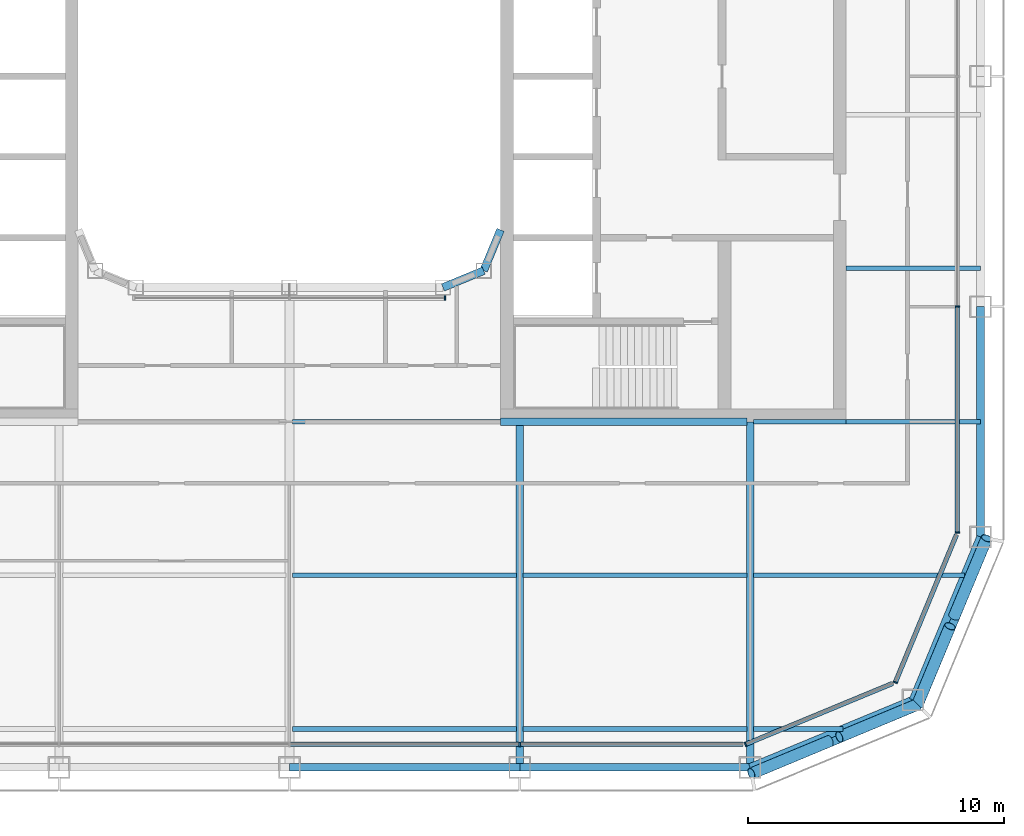
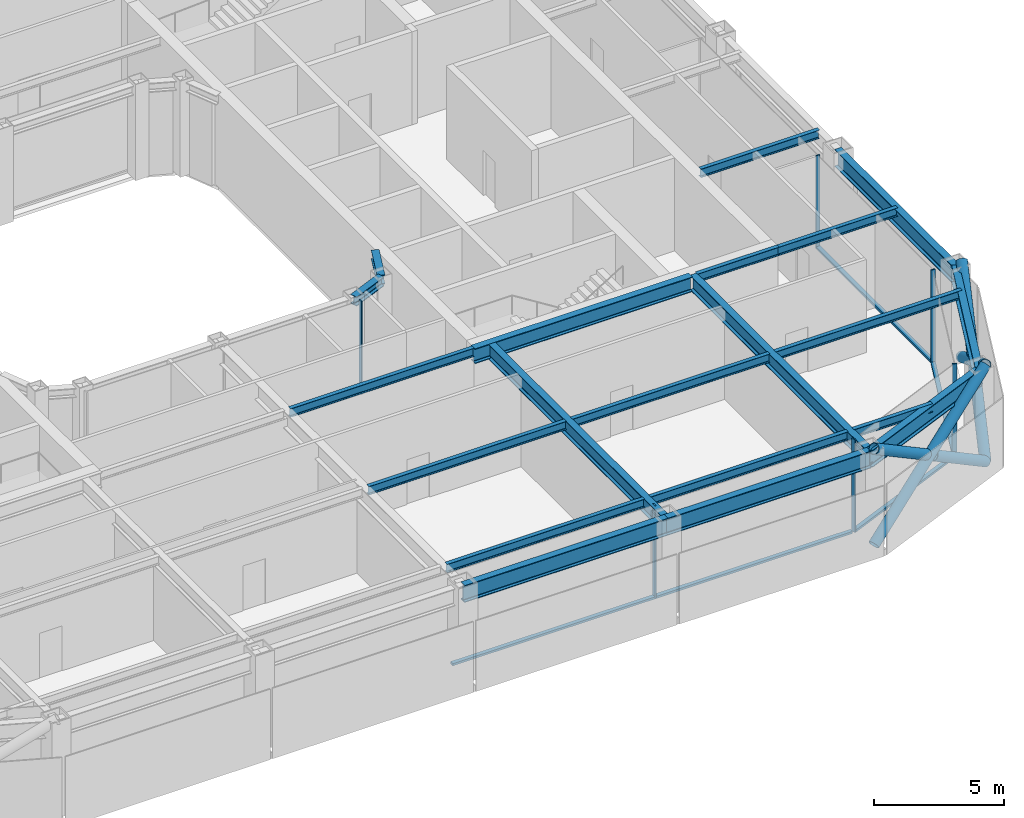
# One storey, part 4 of 19: 20 beams, 17 members, 5 elements without a shape of their own.
"""IFC4 building model written with IfcOpenShell, lengths in metres."""

from ifc_helpers import new_model, si_unit, direction, frame, origin, origin_2d, place, context, subcontext, project, spatial, rectangle, hollow_circle, i_section, extrude, material, layer, layer_set, material_profile, profile_set, type_object, element, aggregate, save


model = new_model("IFC4")

# Units and contexts
model_context = context("Model", 3, precision=1e-05, world=origin(), true_north=direction((0.0, 1.0)))
body_context = subcontext(model_context, "Body", "Model", "MODEL_VIEW")
ifc_project = project(units=[si_unit("LENGTHUNIT", "METRE"), si_unit("AREAUNIT", "SQUARE_METRE"), si_unit("VOLUMEUNIT", "CUBIC_METRE"), si_unit("PLANEANGLEUNIT", "RADIAN"), si_unit("MASSUNIT", "GRAM", prefix="KILO")], contexts=[model_context])

# Site, building, storey
site_placement = place(None, origin())
site = spatial("IfcSite", under=ifc_project, at=site_placement, CompositionType="ELEMENT")
building_placement = place(site_placement, origin())
building = spatial("IfcBuilding", under=site, at=building_placement, Name="Siwar Civic Tower", CompositionType="ELEMENT")
storey_placement = place(building_placement, frame((0.0, 0.0, 210.699951171875)))
storey = spatial("IfcBuildingStorey", under=building, at=storey_placement, Name="L45", CompositionType="ELEMENT", Elevation=210.699951171875)

# Curtain wall, member
ifc_material_1 = material(Name="Aluminium and glass", Category="aluminium")
ifc_layer_1 = layer(ifc_material_1, 0.179931640625)
ifc_layer_set_1 = layer_set([ifc_layer_1], Name="Aluminium and glass")
curtain_wall_type_1 = type_object("IfcCurtainWallType", Name="ENV-CW-C", PredefinedType="NOTDEFINED", material=ifc_layer_set_1)
curtain_wall_1_placement = place(storey_placement, origin())
curtain_wall_1 = element("IfcCurtainWall", 1, at=curtain_wall_1_placement, inside=storey, type_object=curtain_wall_type_1, Name="Curtain wall C S", PredefinedType="NOTDEFINED")
ifc_material_2 = material(Name="Aluminium 6063-T6", Category="aluminium")
ifc_material_profile_1 = material_profile(ifc_material_2, rectangle(XDim=0.179931640625, YDim=0.06005859375, at=origin_2d()), Name="AL 180x60")
ifc_profile_set_1 = profile_set([ifc_material_profile_1], Name="Aluminium 6063-T6")
member_type_1 = type_object("IfcMemberType", Name="ENV-MULLION-C", PredefinedType="MULLION", material=ifc_profile_set_1)
member_1_placement = place(storey_placement, frame((9.0, -26.10009765625, 0.0), z_axis=(0.0, 0.0, 1.0), x_axis=(0.0, 1.0, 0.0)))
member_1 = element("IfcMember", 2, at=member_1_placement, type_object=member_type_1, Name="Mullion C S 4", PredefinedType="MULLION", context=body_context, shape_type="SweptSolid", body=[
    extrude(rectangle(XDim=0.179931640625, YDim=0.06005859375, at=origin_2d()), origin(), (0.0, 0.0, 1.0), 4.35009765625),
])

ifc_material_3 = material(Name="Aluminium clad insulated panel", Category="aluminium")
ifc_layer_2 = layer(ifc_material_3, 0.179931640625)
ifc_layer_set_2 = layer_set([ifc_layer_2], Name="Aluminium clad insulated panel")
curtain_wall_type_2 = type_object("IfcCurtainWallType", Name="ENV-CW-CX", PredefinedType="NOTDEFINED", material=ifc_layer_set_2)
curtain_wall_2_placement = place(storey_placement, origin())
curtain_wall_2 = element("IfcCurtainWall", 3, at=curtain_wall_2_placement, inside=storey, type_object=curtain_wall_type_2, Name="Curtain wall C SE1", PredefinedType="NOTDEFINED")
member_2_placement = place(storey_placement, frame((17.821044921875, -26.10009765625, 0.0), z_axis=(0.0, 0.0, 1.0), x_axis=(-0.382683432365, 0.923879532511, 0.0)))
member_2 = element("IfcMember", 4, at=member_2_placement, type_object=member_type_1, Name="Mullion C SE1 1", PredefinedType="MULLION", context=body_context, shape_type="SweptSolid", body=[
    extrude(rectangle(XDim=0.179931640625, YDim=0.06005859375, at=origin_2d()), origin(), (0.0, 0.0, 1.0), 4.35009765625),
])

curtain_wall_3_placement = place(storey_placement, origin())
curtain_wall_3 = element("IfcCurtainWall", 5, at=curtain_wall_3_placement, inside=storey, type_object=curtain_wall_type_2, Name="Curtain wall C SE2", PredefinedType="NOTDEFINED")
member_3_placement = place(storey_placement, frame((23.675048828125, -23.675048828125, 0.0), z_axis=(0.0, 0.0, 1.0), x_axis=(-0.923879532511, 0.382683432365, 0.0)))
member_3 = element("IfcMember", 6, at=member_3_placement, type_object=member_type_1, Name="Mullion C SE2 1", PredefinedType="MULLION", context=body_context, shape_type="SweptSolid", body=[
    extrude(rectangle(XDim=0.179931640625, YDim=0.06005859375, at=origin_2d()), origin(), (0.0, 0.0, 1.0), 4.35009765625),
])

# Curtain wall, members
curtain_wall_4_placement = place(storey_placement, origin())
curtain_wall_4 = element("IfcCurtainWall", 7, at=curtain_wall_4_placement, inside=storey, type_object=curtain_wall_type_1, Name="Curtain wall C E", PredefinedType="NOTDEFINED")
member_4_placement = place(storey_placement, frame((26.10009765625, -17.821044921875, 0.0), z_axis=(0.0, 0.0, 1.0), x_axis=(-1.0, 0.0, 0.0)))
member_4 = element("IfcMember", 8, at=member_4_placement, type_object=member_type_1, Name="Mullion C E 1", PredefinedType="MULLION", context=body_context, shape_type="SweptSolid", body=[
    extrude(rectangle(XDim=0.179931640625, YDim=0.06005859375, at=origin_2d()), origin(), (0.0, 0.0, 1.0), 4.35009765625),
])
member_5_placement = place(storey_placement, frame((26.10009765625, -9.0, 0.0), z_axis=(0.0, 0.0, 1.0), x_axis=(-1.0, 0.0, 0.0)))
member_5 = element("IfcMember", 9, at=member_5_placement, type_object=member_type_1, Name="Mullion C E 2", PredefinedType="MULLION", context=body_context, shape_type="SweptSolid", body=[
    extrude(rectangle(XDim=0.179931640625, YDim=0.06005859375, at=origin_2d()), origin(), (0.0, 0.0, 1.0), 4.35009765625),
])

# Curtain wall, member
ifc_material_4 = material(Name="Aluminium and glass", Category="aluminium")
ifc_layer_3 = layer(ifc_material_4, 0.179931640625)
ifc_layer_set_3 = layer_set([ifc_layer_3], Name="Aluminium and glass")
curtain_wall_type_3 = type_object("IfcCurtainWallType", Name="ENV-CW-W", PredefinedType="NOTDEFINED", material=ifc_layer_set_3)
curtain_wall_5_placement = place(storey_placement, origin())
curtain_wall_5 = element("IfcCurtainWall", 10, at=curtain_wall_5_placement, inside=storey, type_object=curtain_wall_type_3, Name="Curtain wall W WS", PredefinedType="NOTDEFINED")
ifc_material_5 = material(Name="Aluminium 6063-T6", Category="aluminium")
ifc_material_profile_2 = material_profile(ifc_material_5, rectangle(XDim=0.179931640625, YDim=0.06005859375, at=origin_2d()), Name="AL 180x60")
ifc_profile_set_2 = profile_set([ifc_material_profile_2], Name="Aluminium 6063-T6")
member_type_2 = type_object("IfcMemberType", Name="ENV-MULLION-W", PredefinedType="MULLION", material=ifc_profile_set_2)
member_6_placement = place(storey_placement, frame((6.08154296875, -8.659912109375, 0.0), z_axis=(0.0, 0.0, 1.0), x_axis=(0.0, 1.0, 0.0)))
member_6 = element("IfcMember", 11, at=member_6_placement, type_object=member_type_2, Name="Mullion W WS 3", PredefinedType="MULLION", context=body_context, shape_type="SweptSolid", body=[
    extrude(rectangle(XDim=0.179931640625, YDim=0.06005859375, at=origin_2d()), origin(), (0.0, 0.0, 1.0), 4.35009765625),
])
aggregate(curtain_wall_5, [member_6])

# Member
ifc_material_6 = material(Name="Aluminium 6063-T6", Category="aluminium")
ifc_material_profile_3 = material_profile(ifc_material_6, rectangle(XDim=0.179931640625, YDim=0.10009765625, at=origin_2d()), Name="AL 180x100")
ifc_profile_set_3 = profile_set([ifc_material_profile_3], Name="Aluminium 6063-T6")
member_type_3 = type_object("IfcMemberType", Name="ENV-TRANSOM-C", PredefinedType="USERDEFINED", material=ifc_profile_set_3)
member_7_placement = place(storey_placement, frame((0.030029296875, -26.10009765625, 0.050048828125), z_axis=(1.0, 0.0, 0.0), x_axis=(0.0, 1.0, 0.0)))
member_7 = element("IfcMember", 12, at=member_7_placement, type_object=member_type_3, Name="Transom C S 3", ObjectType="TRANSOM", PredefinedType="USERDEFINED", context=body_context, shape_type="SweptSolid", body=[
    extrude(rectangle(XDim=0.179931640625, YDim=0.10009765625, at=origin_2d()), origin(), (0.0, 0.0, 1.0), 8.93994140625),
])

member_8_placement = place(storey_placement, frame((9.030029296875, -26.10009765625, 0.050048828125), z_axis=(1.0, 0.0, 0.0), x_axis=(0.0, 1.0, 0.0)))
member_8 = element("IfcMember", 13, at=member_8_placement, type_object=member_type_3, Name="Transom C S 4", ObjectType="TRANSOM", PredefinedType="USERDEFINED", context=body_context, shape_type="SweptSolid", body=[
    extrude(rectangle(XDim=0.179931640625, YDim=0.10009765625, at=origin_2d()), origin(), (0.0, 0.0, 1.0), 8.68603515625),
])

aggregate(curtain_wall_1, [member_1, member_7, member_8])

member_9_placement = place(storey_placement, frame((17.8486328125, -26.088623046875, 0.050048828125), z_axis=(0.923882011223, 0.38267744817, 0.0), x_axis=(-0.38267744817, 0.923882011223, 0.0)))
member_9 = element("IfcMember", 14, at=member_9_placement, type_object=member_type_3, Name="Transom C SE1 1", ObjectType="TRANSOM", PredefinedType="USERDEFINED", context=body_context, shape_type="SweptSolid", body=[
    extrude(rectangle(XDim=0.179931640625, YDim=0.10009765625, at=origin_2d()), origin(), (0.0, 0.0, 1.0), 6.201904296875),
])

aggregate(curtain_wall_2, [member_2, member_9])

member_10_placement = place(storey_placement, frame((23.6865234375, -23.6474609375, 0.050048828125), z_axis=(0.382691366456, 0.923876246063, 0.0), x_axis=(-0.923876246063, 0.382691366456, 0.0)))
member_10 = element("IfcMember", 15, at=member_10_placement, type_object=member_type_3, Name="Transom C SE2 1", ObjectType="TRANSOM", PredefinedType="USERDEFINED", context=body_context, shape_type="SweptSolid", body=[
    extrude(rectangle(XDim=0.179931640625, YDim=0.10009765625, at=origin_2d()), origin(), (0.0, 0.0, 1.0), 6.20166015625),
])

aggregate(curtain_wall_3, [member_3, member_10])

member_11_placement = place(storey_placement, frame((26.10009765625, -17.791015625, 0.050048828125), z_axis=(0.0, 1.0, 0.0), x_axis=(-1.0, 0.0, 0.0)))
member_11 = element("IfcMember", 16, at=member_11_placement, type_object=member_type_3, Name="Transom C E 1", ObjectType="TRANSOM", PredefinedType="USERDEFINED", context=body_context, shape_type="SweptSolid", body=[
    extrude(rectangle(XDim=0.179931640625, YDim=0.10009765625, at=origin_2d()), origin(), (0.0, 0.0, 1.0), 8.760986328125),
])

aggregate(curtain_wall_4, [member_4, member_5, member_11])

# Members
ifc_material_7 = material(Name="Steel S355", Category="steel")
ifc_material_profile_4 = material_profile(ifc_material_7, hollow_circle(Radius=0.228515625, WallThickness=0.02001953125, at=origin_2d()), Name="CHS457x20")
ifc_profile_set_4 = profile_set([ifc_material_profile_4], Name="Steel S355")
member_type_4 = type_object("IfcMemberType", Name="STR-BR-CHS457x20", PredefinedType="BRACE", material=ifc_profile_set_4)
member_12_placement = place(storey_placement, frame((27.2451171875, -18.048828125, 0.0), z_axis=(-0.323905527954, -0.777554562952, 0.538975055633), x_axis=(0.923108759191, -0.384538969033, 0.0)))
element("IfcMember", 17, at=member_12_placement, inside=storey, type_object=member_type_4, Name="L45/brc/CSE1-5-0-1", PredefinedType="BRACE", context=body_context, shape_type="SweptSolid", body=[
    extrude(hollow_circle(Radius=0.228515625, WallThickness=0.02001953125, at=origin_2d()), origin(), (0.0, 0.0, 1.0), 8.34912109375),
])
for number, where, z_axis, x_axis, name in (
    (18, (24.540771484375, -24.540771484375, 0.0), (0.323884455881, 0.777546448489, 0.538999424564), (-0.92311621485, 0.38452107079, 0.0), "L45/brc/CSE1-5-0-2"),
    (19, (25.972900390625, -21.10302734375, 2.383056640625), (0.323895306243, 0.777572496853, 0.538955325357), (-0.92311621485, 0.38452107079, 0.0), "L45/brc/CSE1-5-0-3"),
):
    element("IfcMember", number, at=place(storey_placement, frame(where, z_axis=z_axis, x_axis=x_axis)), inside=storey, type_object=member_type_4, Name=name, PredefinedType="BRACE", context=body_context, shape_type="SweptSolid", body=[
        extrude(hollow_circle(Radius=0.228515625, WallThickness=0.02001953125, at=origin_2d()), origin(), (0.0, 0.0, 1.0), 3.927978515625),
    ])
member_13_placement = place(storey_placement, frame((18.048828125, -27.2451171875, 0.0), z_axis=(0.777554562952, 0.323905527954, 0.538975055633), x_axis=(-0.384538969033, 0.923108759191, 0.0)))
element("IfcMember", 20, at=member_13_placement, inside=storey, type_object=member_type_4, Name="L45/brc/CSE1-5-0-0", PredefinedType="BRACE", context=body_context, shape_type="SweptSolid", body=[
    extrude(hollow_circle(Radius=0.228515625, WallThickness=0.02001953125, at=origin_2d()), origin(), (0.0, 0.0, 1.0), 8.34912109375),
])
for number, where, z_axis, x_axis, name in (
    (21, (24.540771484375, -24.540771484375, 0.0), (-0.777546448489, -0.323884455881, 0.538999424564), (0.38452107079, -0.92311621485, 0.0), "L45/brc/CSE1-5-0-4"),
    (22, (21.10302734375, -25.972900390625, 2.383056640625), (-0.777572496853, -0.323895306243, 0.538955325357), (0.38452107079, -0.92311621485, 0.0), "L45/brc/CSE1-5-0-5"),
):
    element("IfcMember", number, at=place(storey_placement, frame(where, z_axis=z_axis, x_axis=x_axis)), inside=storey, type_object=member_type_4, Name=name, PredefinedType="BRACE", context=body_context, shape_type="SweptSolid", body=[
        extrude(hollow_circle(Radius=0.228515625, WallThickness=0.02001953125, at=origin_2d()), origin(), (0.0, 0.0, 1.0), 3.927978515625),
    ])

# Beams
ifc_material_8 = material(Name="Steel S355", Category="steel")
ifc_material_profile_5 = material_profile(ifc_material_8, i_section(OverallWidth=0.179931640625, OverallDepth=0.39990234375, WebThickness=0.008544921875, FlangeThickness=0.013427734375, FilletRadius=0.02099609375, at=origin_2d()), Name="IPE400")
ifc_profile_set_5 = profile_set([ifc_material_profile_5], Name="Steel S355")
beam_type_1 = type_object("IfcBeamType", Name="STR-FB-IPE400", PredefinedType="JOIST", material=ifc_profile_set_5)
for number, where, z_axis, x_axis, name in (
    (23, (0.1298828125, -25.5, 4.150146484375), (1.0, 0.0, 0.0), (0.0, 1.0, 0.0), "L45/bm/F004"),
    (24, (9.1298828125, -25.5, 4.150146484375), (1.0, 0.0, 0.0), (0.0, 1.0, 0.0), "L45/bm/F005"),
):
    element("IfcBeam", number, at=place(storey_placement, frame(where, z_axis=z_axis, x_axis=x_axis)), inside=storey, type_object=beam_type_1, Name=name, PredefinedType="JOIST", context=body_context, shape_type="SweptSolid", body=[
        extrude(i_section(OverallWidth=0.179931640625, OverallDepth=0.39990234375, WebThickness=0.008544921875, FlangeThickness=0.013427734375, FilletRadius=0.02099609375, at=origin_2d()), origin(), (0.0, 0.0, 1.0), 8.740234375),
    ])
beam_1_placement = place(storey_placement, frame((18.1298828125, -25.5, 4.150146484375), z_axis=(1.0, 0.0, 0.0), x_axis=(0.0, 1.0, 0.0)))
element("IfcBeam", 25, at=beam_1_placement, inside=storey, type_object=beam_type_1, Name="L45/bm/F006", PredefinedType="JOIST", context=body_context, shape_type="SweptSolid", body=[
    extrude(i_section(OverallWidth=0.179931640625, OverallDepth=0.39990234375, WebThickness=0.008544921875, FlangeThickness=0.013427734375, FilletRadius=0.02099609375, at=origin_2d()), origin(), (0.0, 0.0, 1.0), 3.491455078125),
])
for number, where, z_axis, x_axis, name in (
    (26, (0.1298828125, -19.5, 4.150146484375), (1.0, 0.0, 0.0), (0.0, 1.0, 0.0), "L45/bm/F010"),
    (27, (9.1298828125, -19.5, 4.150146484375), (1.0, 0.0, 0.0), (0.0, 1.0, 0.0), "L45/bm/F011"),
):
    element("IfcBeam", number, at=place(storey_placement, frame(where, z_axis=z_axis, x_axis=x_axis)), inside=storey, type_object=beam_type_1, Name=name, PredefinedType="JOIST", context=body_context, shape_type="SweptSolid", body=[
        extrude(i_section(OverallWidth=0.179931640625, OverallDepth=0.39990234375, WebThickness=0.008544921875, FlangeThickness=0.013427734375, FilletRadius=0.02099609375, at=origin_2d()), origin(), (0.0, 0.0, 1.0), 8.740234375),
    ])
beam_2_placement = place(storey_placement, frame((18.1298828125, -19.5, 4.150146484375), z_axis=(1.0, 0.0, 0.0), x_axis=(0.0, 1.0, 0.0)))
element("IfcBeam", 28, at=beam_2_placement, inside=storey, type_object=beam_type_1, Name="L45/bm/F012", PredefinedType="JOIST", context=body_context, shape_type="SweptSolid", body=[
    extrude(i_section(OverallWidth=0.179931640625, OverallDepth=0.39990234375, WebThickness=0.008544921875, FlangeThickness=0.013427734375, FilletRadius=0.02099609375, at=origin_2d()), origin(), (0.0, 0.0, 1.0), 8.248779296875),
])
beam_3_placement = place(storey_placement, frame((0.1298828125, -13.5, 4.150146484375), z_axis=(1.0, 0.0, 0.0), x_axis=(0.0, 1.0, 0.0)))
element("IfcBeam", 29, at=beam_3_placement, inside=storey, type_object=beam_type_1, Name="L45/bm/F017", PredefinedType="JOIST", context=body_context, shape_type="SweptSolid", body=[
    extrude(i_section(OverallWidth=0.179931640625, OverallDepth=0.39990234375, WebThickness=0.008544921875, FlangeThickness=0.013427734375, FilletRadius=0.02099609375, at=origin_2d()), origin(), (0.0, 0.0, 1.0), 8.1201171875),
])
beam_4_placement = place(storey_placement, frame((18.1298828125, -13.5, 4.150146484375), z_axis=(1.0, 0.0, 0.0), x_axis=(0.0, 1.0, 0.0)))
element("IfcBeam", 30, at=beam_4_placement, inside=storey, type_object=beam_type_1, Name="L45/bm/F019", PredefinedType="JOIST", context=body_context, shape_type="SweptSolid", body=[
    extrude(i_section(OverallWidth=0.179931640625, OverallDepth=0.39990234375, WebThickness=0.008544921875, FlangeThickness=0.013427734375, FilletRadius=0.02099609375, at=origin_2d()), origin(), (0.0, 0.0, 1.0), 3.6201171875),
])
for number, where, z_axis, x_axis, name in (
    (31, (21.75, -13.5, 4.150146484375), (1.0, 0.0, 0.0), (0.0, 1.0, 0.0), "L45/bm/F020"),
    (32, (21.75, -7.5, 4.150146484375), (1.0, 0.0, 0.0), (0.0, 1.0, 0.0), "L45/bm/F022"),
):
    element("IfcBeam", number, at=place(storey_placement, frame(where, z_axis=z_axis, x_axis=x_axis)), inside=storey, type_object=beam_type_1, Name=name, PredefinedType="JOIST", context=body_context, shape_type="SweptSolid", body=[
        extrude(i_section(OverallWidth=0.179931640625, OverallDepth=0.39990234375, WebThickness=0.008544921875, FlangeThickness=0.013427734375, FilletRadius=0.02099609375, at=origin_2d()), origin(), (0.0, 0.0, 1.0), 5.25),
    ])
ifc_material_9 = material(Name="Steel S355", Category="steel")
ifc_material_profile_6 = material_profile(ifc_material_9, i_section(OverallWidth=0.300048828125, OverallDepth=0.699951171875, WebThickness=0.01708984375, FlangeThickness=0.031982421875, FilletRadius=0.027099609375, at=origin_2d()), Name="HEB700")
ifc_profile_set_6 = profile_set([ifc_material_profile_6], Name="Steel S355")
beam_type_2 = type_object("IfcBeamType", Name="STR-PG-HEB700", PredefinedType="BEAM", material=ifc_profile_set_6)
for number, where, z_axis, x_axis, name in (
    (33, (9.0, -27.0, 4.0), (0.0, 1.0, 0.0), (-1.0, 0.0, 0.0), "L45/bm/G07"),
    (34, (18.0, -27.0, 4.0), (0.0, 1.0, 0.0), (-1.0, 0.0, 0.0), "L45/bm/G09"),
):
    element("IfcBeam", number, at=place(storey_placement, frame(where, z_axis=z_axis, x_axis=x_axis)), inside=storey, type_object=beam_type_2, Name=name, PredefinedType="BEAM", context=body_context, shape_type="SweptSolid", body=[
        extrude(i_section(OverallWidth=0.300048828125, OverallDepth=0.699951171875, WebThickness=0.01708984375, FlangeThickness=0.031982421875, FilletRadius=0.027099609375, at=origin_2d()), origin(), (0.0, 0.0, 1.0), 13.5),
    ])
beam_5_placement = place(storey_placement, frame((8.25, -13.5, 4.0), z_axis=(1.0, 0.0, 0.0), x_axis=(0.0, 1.0, 0.0)))
element("IfcBeam", 35, at=beam_5_placement, inside=storey, type_object=beam_type_2, Name="L45/bm/F018", PredefinedType="BEAM", context=body_context, shape_type="SweptSolid", body=[
    extrude(i_section(OverallWidth=0.300048828125, OverallDepth=0.699951171875, WebThickness=0.01708984375, FlangeThickness=0.031982421875, FilletRadius=0.027099609375, at=origin_2d()), origin(), (0.0, 0.0, 1.0), 9.6201171875),
])
ifc_material_10 = material(Name="Steel S355", Category="steel")
ifc_material_profile_7 = material_profile(ifc_material_10, i_section(OverallWidth=0.306884765625, OverallDepth=0.431884765625, WebThickness=0.02099609375, FlangeThickness=0.0400390625, FilletRadius=0.027099609375, at=origin_2d()), Name="HEM400")
ifc_profile_set_7 = profile_set([ifc_material_profile_7], Name="Steel S355")
beam_type_3 = type_object("IfcBeamType", Name="STR-RB-HEM400", PredefinedType="BEAM", material=ifc_profile_set_7)
for number, where, z_axis, x_axis, name in (
    (36, (6.0, -8.25, 4.134033203125), (0.923901072997, 0.382631424892, 0.0), (-0.382631424892, 0.923901072997, 0.0), "L45/bm/RS3"),
    (37, (7.591064453125, -7.591064453125, 4.134033203125), (0.382631424892, 0.923901072997, 0.0), (-0.923901072997, 0.382631424892, 0.0), "L45/bm/RSEE"),
):
    element("IfcBeam", number, at=place(storey_placement, frame(where, z_axis=z_axis, x_axis=x_axis)), inside=storey, type_object=beam_type_3, Name=name, PredefinedType="BEAM", context=body_context, shape_type="SweptSolid", body=[
        extrude(i_section(OverallWidth=0.306884765625, OverallDepth=0.431884765625, WebThickness=0.02099609375, FlangeThickness=0.0400390625, FilletRadius=0.027099609375, at=origin_2d()), origin(), (0.0, 0.0, 1.0), 1.72216796875),
    ])
ifc_material_11 = material(Name="Steel S355", Category="steel")
ifc_material_profile_8 = material_profile(ifc_material_11, i_section(OverallWidth=0.300048828125, OverallDepth=0.800048828125, WebThickness=0.017578125, FlangeThickness=0.032958984375, FilletRadius=0.030029296875, at=origin_2d()), Name="HEB800")
ifc_profile_set_8 = profile_set([ifc_material_profile_8], Name="Steel S355")
beam_type_4 = type_object("IfcBeamType", Name="STR-SB-HEB800", PredefinedType="BEAM", material=ifc_profile_set_8)
for number, where, z_axis, x_axis, name in (
    (38, (0.0, -27.0, 3.949951171875), (1.0, 0.0, 0.0), (0.0, 1.0, 0.0), "L45/bm/SS-2"),
    (39, (9.0, -27.0, 3.949951171875), (1.0, 0.0, 0.0), (0.0, 1.0, 0.0), "L45/bm/SS-3"),
):
    element("IfcBeam", number, at=place(storey_placement, frame(where, z_axis=z_axis, x_axis=x_axis)), inside=storey, type_object=beam_type_4, Name=name, PredefinedType="BEAM", context=body_context, shape_type="SweptSolid", body=[
        extrude(i_section(OverallWidth=0.300048828125, OverallDepth=0.800048828125, WebThickness=0.017578125, FlangeThickness=0.032958984375, FilletRadius=0.030029296875, at=origin_2d()), origin(), (0.0, 0.0, 1.0), 9.0),
    ])
for number, where, z_axis, x_axis, name in (
    (40, (18.0, -27.0, 3.949951171875), (0.923883353507, 0.382674207535, 0.0), (-0.382674207535, 0.923883353507, 0.0), "L45/bm/SSE1-0"),
    (41, (24.364013671875, -24.364013671875, 3.949951171875), (0.382674207535, 0.923883353507, 0.0), (-0.923883353507, 0.382674207535, 0.0), "L45/bm/SSE2-0"),
):
    element("IfcBeam", number, at=place(storey_placement, frame(where, z_axis=z_axis, x_axis=x_axis)), inside=storey, type_object=beam_type_4, Name=name, PredefinedType="BEAM", context=body_context, shape_type="SweptSolid", body=[
        extrude(i_section(OverallWidth=0.300048828125, OverallDepth=0.800048828125, WebThickness=0.017578125, FlangeThickness=0.032958984375, FilletRadius=0.030029296875, at=origin_2d()), origin(), (0.0, 0.0, 1.0), 6.888427734375),
    ])
beam_6_placement = place(storey_placement, frame((27.0, -18.0, 3.949951171875), z_axis=(0.0, 1.0, 0.0), x_axis=(-1.0, 0.0, 0.0)))
element("IfcBeam", 42, at=beam_6_placement, inside=storey, type_object=beam_type_4, Name="L45/bm/SE-0", PredefinedType="BEAM", context=body_context, shape_type="SweptSolid", body=[
    extrude(i_section(OverallWidth=0.300048828125, OverallDepth=0.800048828125, WebThickness=0.017578125, FlangeThickness=0.032958984375, FilletRadius=0.030029296875, at=origin_2d()), origin(), (0.0, 0.0, 1.0), 9.0),
])

save(model, "model.ifc")
